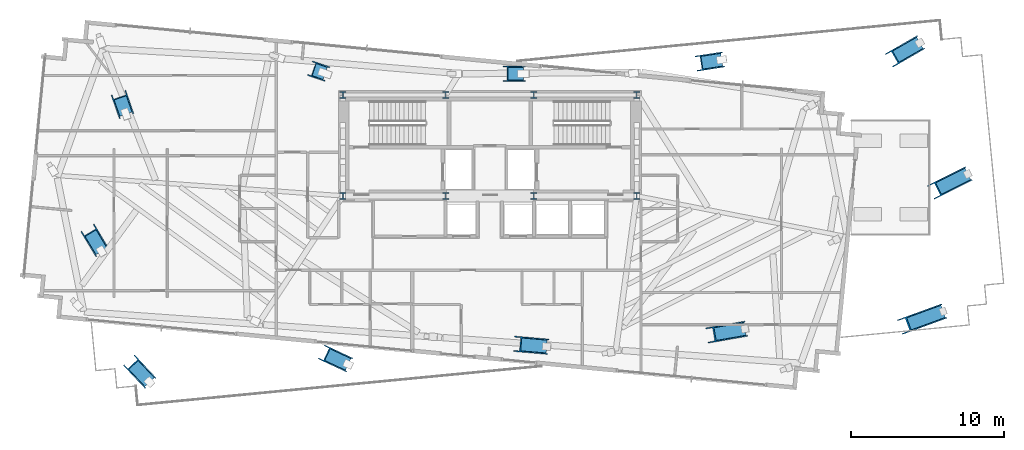
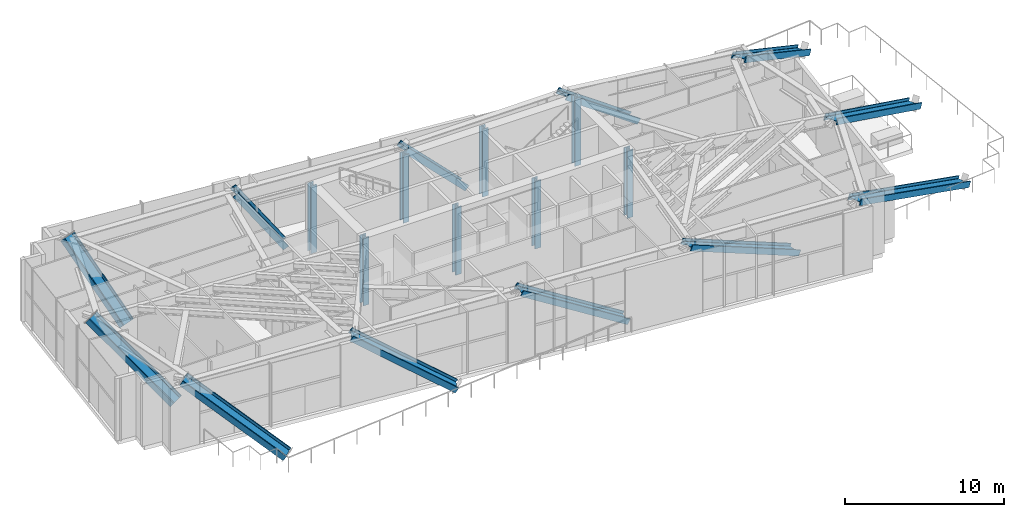
# One storey, part 1 of 23: 20 columns.
"""IFC4 building model written with IfcOpenShell, lengths in metres."""

from ifc_helpers import new_model, si_unit, direction, frame, origin, origin_2d, place, context, subcontext, project, spatial, i_section, extrude, source, transform, mapped, material, material_profile, profile_set, type_object, type_shapes, element, save


model = new_model("IFC4")

# Units and contexts
model_context = context("Model", 3, precision=1e-05, world=origin(), true_north=direction((0.0, 1.0)))
body_context = subcontext(model_context, "Body", "Model", "MODEL_VIEW")
ifc_project = project(units=[si_unit("LENGTHUNIT", "METRE"), si_unit("AREAUNIT", "SQUARE_METRE"), si_unit("VOLUMEUNIT", "CUBIC_METRE"), si_unit("PLANEANGLEUNIT", "RADIAN"), si_unit("MASSUNIT", "GRAM", prefix="KILO")], contexts=[model_context])

# Site, building, storey
site_placement = place(None, origin())
site = spatial("IfcSite", under=ifc_project, at=site_placement, CompositionType="ELEMENT")
building_placement = place(site_placement, origin())
building = spatial("IfcBuilding", under=site, at=building_placement, Name="Astriad Promenade Condominiums", CompositionType="ELEMENT")
storey_placement = place(building_placement, frame((0.0, 0.0, 119.39990234375)))
storey = spatial("IfcBuildingStorey", under=building, at=storey_placement, Name="L34", CompositionType="ELEMENT", Elevation=119.39990234375)

# Columns
ifc_material = material(Name="Steel ASTM A992 Grade 50", Category="steel")
ifc_material_profile_1 = material_profile(ifc_material, i_section(OverallWidth=0.42138671875, OverallDepth=0.464599609375, WebThickness=0.044921875, FlangeThickness=0.072509765625, FilletRadius=0.017822265625, at=origin_2d()), Name="W14X398")
ifc_profile_set_1 = profile_set([ifc_material_profile_1], Name="Steel ASTM A992 Grade 50")
column_type_1 = type_object("IfcColumnType", Name="STEEL CORE PILASTER W14X398", PredefinedType="PILASTER", material=ifc_profile_set_1)
shared_shape_1 = source(origin(), body_context, "Body", "SweptSolid", [
    extrude(i_section(OverallWidth=0.42138671875, OverallDepth=0.464599609375, WebThickness=0.044921875, FlangeThickness=0.072509765625, FilletRadius=0.017822265625, at=origin_2d()), origin(), (0.0, 0.0, 1.0), 5.19580078125),
])
type_shapes(column_type_1, [shared_shape_1])
for number, where, z_axis, x_axis, name in (
    (1, (26.39990234375, 17.39990234375, 0.002197265625), (0.0, 0.0, 1.0), (1.0, 0.0, 0.0), "Core Pilaster Column CP1 (L34)"),
    (2, (33.1201171875, 17.39990234375, 0.002197265625), (0.0, 0.0, 1.0), (1.0, 0.0, 0.0), "Core Pilaster Column CP2 (L34)"),
    (3, (38.8798828125, 17.39990234375, 0.002197265625), (0.0, 0.0, 1.0), (1.0, 0.0, 0.0), "Core Pilaster Column CP3 (L34)"),
    (4, (45.60009765625, 17.39990234375, 0.002197265625), (0.0, 0.0, 1.0), (1.0, 0.0, 0.0), "Core Pilaster Column CP4 (L34)"),
    (5, (26.39990234375, 24.0, 0.002197265625), (0.0, 0.0, 1.0), (1.0, 0.0, 0.0), "Core Pilaster Column CP5 (L34)"),
    (6, (33.1201171875, 24.0, 0.002197265625), (0.0, 0.0, 1.0), (1.0, 0.0, 0.0), "Core Pilaster Column CP6 (L34)"),
    (7, (38.8798828125, 24.0, 0.002197265625), (0.0, 0.0, 1.0), (1.0, 0.0, 0.0), "Core Pilaster Column CP7 (L34)"),
    (8, (45.60009765625, 24.0, 0.002197265625), (0.0, 0.0, 1.0), (1.0, 0.0, 0.0), "Core Pilaster Column CP8 (L34)"),
):
    element("IfcColumn", number, at=place(storey_placement, frame(where, z_axis=z_axis, x_axis=x_axis)), inside=storey, type_object=column_type_1, Name=name, PredefinedType="PILASTER", context=body_context, shape_type="MappedRepresentation", body=[
        mapped(shared_shape_1, transform((0.0, 0.0, 0.0), scale=1.0)),
    ])
ifc_material_profile_2 = material_profile(ifc_material, i_section(OverallWidth=0.4375, OverallDepth=1.01123046875, WebThickness=0.041015625, FlangeThickness=0.073974609375, FilletRadius=0.024169921875, at=origin_2d()), Name="W36X529")
ifc_profile_set_2 = profile_set([ifc_material_profile_2], Name="Steel ASTM A992 Grade 50")
column_type_2 = type_object("IfcColumnType", Name="STEEL RAKING MEGA COLUMN W36X529", PredefinedType="COLUMN", material=ifc_profile_set_2)
shared_shape_2 = source(origin(), body_context, "Body", "SweptSolid", [
    extrude(i_section(OverallWidth=0.4375, OverallDepth=1.01123046875, WebThickness=0.041015625, FlangeThickness=0.073974609375, FilletRadius=0.024169921875, at=origin_2d()), origin(), (0.0, 0.0, 1.0), 8.119873046875),
])
column_1_placement = place(storey_placement, frame((13.757568359375, 5.232177734375, 0.196044921875), z_axis=(-0.574945978653, 0.614334077808, 0.540398706952), x_axis=(0.369261600973, -0.394558782087, 0.841409078585)))
element("IfcColumn", 9, at=column_1_placement, inside=storey, type_object=column_type_2, Name="Raking Mega-Strut Column PC01 (L34)", PredefinedType="COLUMN", context=body_context, shape_type="MappedRepresentation", body=[
    mapped(shared_shape_2, transform((0.0, 0.0, 0.0), scale=1.0)),
])
shared_shape_3 = source(origin(), body_context, "Body", "SweptSolid", [
    extrude(i_section(OverallWidth=0.4375, OverallDepth=1.01123046875, WebThickness=0.041015625, FlangeThickness=0.073974609375, FilletRadius=0.024169921875, at=origin_2d()), origin(), (0.0, 0.0, 1.0), 7.98291015625),
])
column_2_placement = place(storey_placement, frame((26.73779296875, 6.389892578125, 0.194580078125), z_axis=(-0.756952163782, 0.352832496204, 0.55002968226), x_axis=(0.498531518624, -0.232376798124, 0.835145106333)))
element("IfcColumn", 10, at=column_2_placement, inside=storey, type_object=column_type_2, Name="Raking Mega-Strut Column PC02 (L34)", PredefinedType="COLUMN", context=body_context, shape_type="MappedRepresentation", body=[
    mapped(shared_shape_3, transform((0.0, 0.0, 0.0), scale=1.0)),
])
shared_shape_4 = source(origin(), body_context, "Body", "SweptSolid", [
    extrude(i_section(OverallWidth=0.4375, OverallDepth=1.01123046875, WebThickness=0.041015625, FlangeThickness=0.073974609375, FilletRadius=0.024169921875, at=origin_2d()), origin(), (0.0, 0.0, 1.0), 8.6181640625),
])
column_3_placement = place(storey_placement, frame((39.70703125, 7.5498046875, 0.200439453125), z_axis=(-0.858068336627, 0.074333816947, 0.508127162565), x_axis=(0.506231174999, -0.043854427309, 0.861282059876)))
element("IfcColumn", 11, at=column_3_placement, inside=storey, type_object=column_type_2, Name="Raking Mega-Strut Column PC03 (L34)", PredefinedType="COLUMN", context=body_context, shape_type="MappedRepresentation", body=[
    mapped(shared_shape_4, transform((0.0, 0.0, 0.0), scale=1.0)),
])
shared_shape_5 = source(origin(), body_context, "Body", "SweptSolid", [
    extrude(i_section(OverallWidth=0.4375, OverallDepth=1.01123046875, WebThickness=0.041015625, FlangeThickness=0.073974609375, FilletRadius=0.024169921875, at=origin_2d()), origin(), (0.0, 0.0, 1.0), 9.879150390625),
])
column_4_placement = place(storey_placement, frame((52.66845703125, 8.70361328125, 0.208251953125), z_axis=(-0.883824382848, -0.154157714467, 0.44168977728), x_axis=(0.435120582334, 0.075894256588, 0.897167844189)))
element("IfcColumn", 12, at=column_4_placement, inside=storey, type_object=column_type_2, Name="Raking Mega-Strut Column PC04 (L34)", PredefinedType="COLUMN", context=body_context, shape_type="MappedRepresentation", body=[
    mapped(shared_shape_5, transform((0.0, 0.0, 0.0), scale=1.0)),
])
shared_shape_6 = source(origin(), body_context, "Body", "SweptSolid", [
    extrude(i_section(OverallWidth=0.4375, OverallDepth=1.01123046875, WebThickness=0.041015625, FlangeThickness=0.073974609375, FilletRadius=0.024169921875, at=origin_2d()), origin(), (0.0, 0.0, 1.0), 11.563720703125),
])
column_5_placement = place(storey_placement, frame((65.628173828125, 9.8505859375, 0.214599609375), z_axis=(-0.870363070026, -0.31765876899, 0.376245973825), x_axis=(0.353441551534, 0.128996521149, 0.92651981478)))
element("IfcColumn", 13, at=column_5_placement, inside=storey, type_object=column_type_2, Name="Raking Mega-Strut Column PC05 (L34)", PredefinedType="COLUMN", context=body_context, shape_type="MappedRepresentation", body=[
    mapped(shared_shape_6, transform((0.0, 0.0, 0.0), scale=1.0)),
])
shared_shape_7 = source(origin(), body_context, "Body", "SweptSolid", [
    extrude(i_section(OverallWidth=0.4375, OverallDepth=1.01123046875, WebThickness=0.041015625, FlangeThickness=0.073974609375, FilletRadius=0.024169921875, at=origin_2d()), origin(), (0.0, 0.0, 1.0), 6.634765625),
])
column_6_placement = place(storey_placement, frame((12.211669921875, 22.75244140625, 0.1748046875), z_axis=(-0.243413874896, 0.703453219409, 0.66775987721), x_axis=(0.218359881802, -0.631048504974, 0.744376750301)))
element("IfcColumn", 14, at=column_6_placement, inside=storey, type_object=column_type_2, Name="Raking Mega-Strut Column PC06 (L34)", PredefinedType="COLUMN", context=body_context, shape_type="MappedRepresentation", body=[
    mapped(shared_shape_7, transform((0.0, 0.0, 0.0), scale=1.0)),
])
shared_shape_8 = source(origin(), body_context, "Body", "SweptSolid", [
    extrude(i_section(OverallWidth=0.4375, OverallDepth=1.01123046875, WebThickness=0.041015625, FlangeThickness=0.073974609375, FilletRadius=0.024169921875, at=origin_2d()), origin(), (0.0, 0.0, 1.0), 5.53564453125),
])
column_7_placement = place(storey_placement, frame((25.220703125, 25.412353515625, 0.139404296875), z_axis=(-0.550407983816, 0.189202744437, 0.813174872244), x_axis=(0.769008579573, -0.264346699228, 0.582019438809)))
element("IfcColumn", 15, at=column_7_placement, inside=storey, type_object=column_type_2, Name="Raking Mega-Strut Column PC07 (L34)", PredefinedType="COLUMN", context=body_context, shape_type="MappedRepresentation", body=[
    mapped(shared_shape_8, transform((0.0, 0.0, 0.0), scale=1.0)),
])
shared_shape_9 = source(origin(), body_context, "Body", "SweptSolid", [
    extrude(i_section(OverallWidth=0.4375, OverallDepth=1.01123046875, WebThickness=0.041015625, FlangeThickness=0.073974609375, FilletRadius=0.024169921875, at=origin_2d()), origin(), (0.0, 0.0, 1.0), 6.257080078125),
])
column_8_placement = place(storey_placement, frame((38.190673828125, 25.3798828125, 0.166015625), z_axis=(-0.703272609658, 7.8037351e-05, 0.710920270083), x_axis=(0.710920265706, -7.8885959e-05, 0.703272613988)))
element("IfcColumn", 16, at=column_8_placement, inside=storey, type_object=column_type_2, Name="Raking Mega-Strut Column PC08 (L34)", PredefinedType="COLUMN", context=body_context, shape_type="MappedRepresentation", body=[
    mapped(shared_shape_9, transform((0.0, 0.0, 0.0), scale=1.0)),
])
shared_shape_10 = source(origin(), body_context, "Body", "SweptSolid", [
    extrude(i_section(OverallWidth=0.4375, OverallDepth=1.01123046875, WebThickness=0.041015625, FlangeThickness=0.073974609375, FilletRadius=0.024169921875, at=origin_2d()), origin(), (0.0, 0.0, 1.0), 7.2880859375),
])
column_9_placement = place(storey_placement, frame((51.152099609375, 26.2978515625, 0.186279296875), z_axis=(-0.787175284288, -0.120828173558, 0.604777334463), x_axis=(0.597776232885, 0.091756196945, 0.796394610554)))
element("IfcColumn", 17, at=column_9_placement, inside=storey, type_object=column_type_2, Name="Raking Mega-Strut Column PC09 (L34)", PredefinedType="COLUMN", context=body_context, shape_type="MappedRepresentation", body=[
    mapped(shared_shape_10, transform((0.0, 0.0, 0.0), scale=1.0)),
])
shared_shape_11 = source(origin(), body_context, "Body", "SweptSolid", [
    extrude(i_section(OverallWidth=0.4375, OverallDepth=1.01123046875, WebThickness=0.041015625, FlangeThickness=0.073974609375, FilletRadius=0.024169921875, at=origin_2d()), origin(), (0.0, 0.0, 1.0), 9.235595703125),
])
column_10_placement = place(storey_placement, frame((64.103759765625, 27.400634765625, 0.204833984375), z_axis=(-0.763784492076, -0.438952046894, 0.473238153779), x_axis=(0.410305135913, 0.235805100953, 0.880934532078)))
element("IfcColumn", 18, at=column_10_placement, inside=storey, type_object=column_type_2, Name="Raking Mega-Strut Column PC10 (L34)", PredefinedType="COLUMN", context=body_context, shape_type="MappedRepresentation", body=[
    mapped(shared_shape_11, transform((0.0, 0.0, 0.0), scale=1.0)),
])
shared_shape_12 = source(origin(), body_context, "Body", "SweptSolid", [
    extrude(i_section(OverallWidth=0.4375, OverallDepth=1.01123046875, WebThickness=0.041015625, FlangeThickness=0.073974609375, FilletRadius=0.024169921875, at=origin_2d()), origin(), (0.0, 0.0, 1.0), 7.530029296875),
])
column_11_placement = place(storey_placement, frame((10.6162109375, 13.786376953125, 0.189697265625), z_axis=(-0.417403538964, 0.695845483396, 0.584442767855), x_axis=(0.300638374798, -0.501188503955, 0.811434933376)))
element("IfcColumn", 19, at=column_11_placement, inside=storey, type_object=column_type_2, Name="Raking Mega-Strut Column PC11 (L34)", PredefinedType="COLUMN", context=body_context, shape_type="MappedRepresentation", body=[
    mapped(shared_shape_12, transform((0.0, 0.0, 0.0), scale=1.0)),
])
shared_shape_13 = source(origin(), body_context, "Body", "SweptSolid", [
    extrude(i_section(OverallWidth=0.4375, OverallDepth=1.01123046875, WebThickness=0.041015625, FlangeThickness=0.073974609375, FilletRadius=0.024169921875, at=origin_2d()), origin(), (0.0, 0.0, 1.0), 10.5126953125),
])
type_shapes(column_type_2, [shared_shape_2, shared_shape_3, shared_shape_4, shared_shape_5, shared_shape_6, shared_shape_7, shared_shape_8, shared_shape_9, shared_shape_10, shared_shape_11, shared_shape_12, shared_shape_13])
column_12_placement = place(storey_placement, frame((67.234130859375, 18.832275390625, 0.211181640625), z_axis=(-0.814030906227, -0.406829664935, 0.414539874362), x_axis=(0.370809581497, 0.18532016001, 0.910031149227)))
element("IfcColumn", 20, at=column_12_placement, inside=storey, type_object=column_type_2, Name="Raking Mega-Strut Column PC12 (L34)", PredefinedType="COLUMN", context=body_context, shape_type="MappedRepresentation", body=[
    mapped(shared_shape_13, transform((0.0, 0.0, 0.0), scale=1.0)),
])

save(model, "model.ifc")
